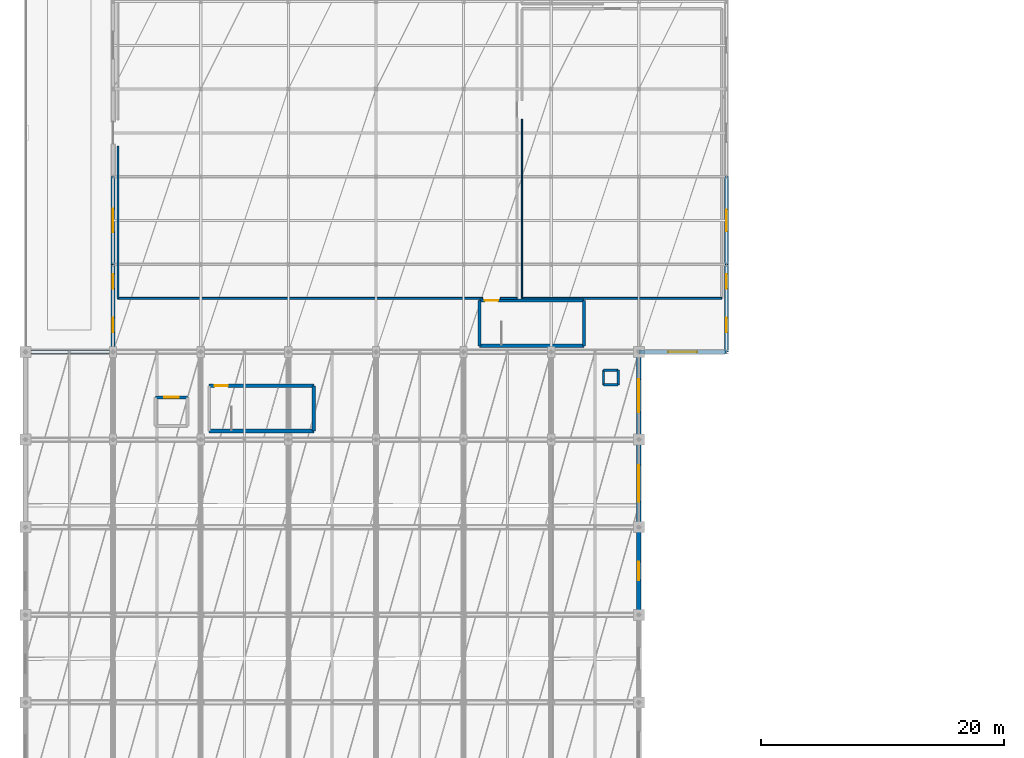
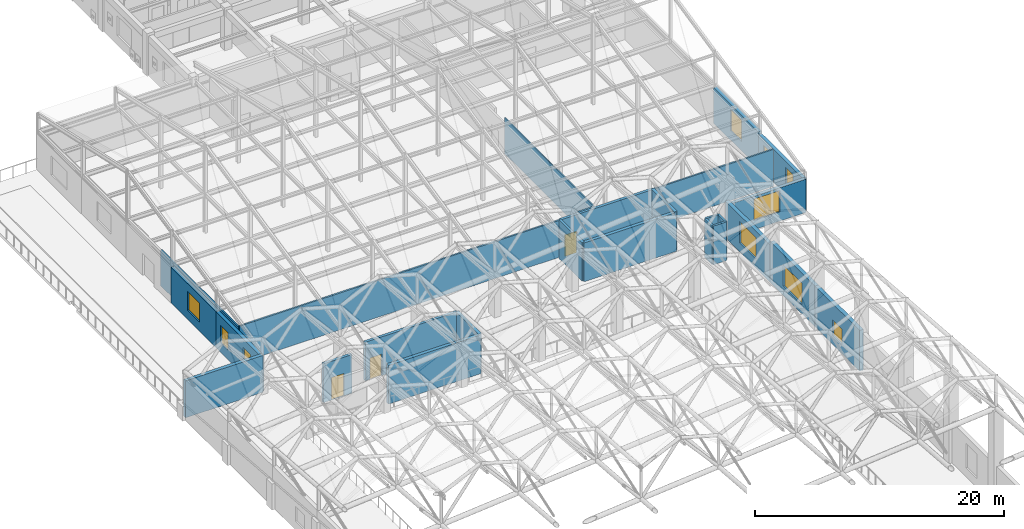
# One storey, part 87 of 113: 26 walls, 10 windows, 3 doors, 13 openings.
"""IFC4 building model written with IfcOpenShell, lengths in metres."""

from ifc_helpers import new_model, si_unit, direction, frame, frame_2d, origin, place, context, subcontext, project, spatial, rectangle, extrude, material, layer, layer_set, type_object, element, fill, save


model = new_model("IFC4")

# Units and contexts
model_context = context("Model", 3, precision=1e-05, world=origin(), true_north=direction((0.0, 1.0)))
body_context = subcontext(model_context, "Body", "Model", "MODEL_VIEW")
ifc_project = project(units=[si_unit("LENGTHUNIT", "METRE"), si_unit("AREAUNIT", "SQUARE_METRE"), si_unit("VOLUMEUNIT", "CUBIC_METRE"), si_unit("PLANEANGLEUNIT", "RADIAN"), si_unit("MASSUNIT", "GRAM", prefix="KILO")], contexts=[model_context])

# Site, building, storey
site_placement = place(None, origin())
site = spatial("IfcSite", under=ifc_project, at=site_placement, CompositionType="ELEMENT")
building_placement = place(site_placement, origin())
building = spatial("IfcBuilding", under=site, at=building_placement, Name="Carrowvane Square Congress Hotel", CompositionType="ELEMENT")
storey_placement = place(building_placement, frame((0.0, 0.0, 15.0)))
storey = spatial("IfcBuildingStorey", under=building, at=storey_placement, Name="L03", CompositionType="ELEMENT", Elevation=15.0)

# Wall, opening, window
ifc_material_1 = material(Name="Portland limestone cladding", Category="masonry")
ifc_layer_1 = layer(ifc_material_1, 0.35009765625)
ifc_layer_set_1 = layer_set([ifc_layer_1], Name="Portland limestone cladding")
wall_type_1 = type_object("IfcWallType", Name="WL-EXT-LS350", PredefinedType="STANDARD", material=ifc_layer_set_1)
wall_1_placement = place(storey_placement, frame((62.0, 55.800048828125, 0.0), z_axis=(0.0, 0.0, 1.0), x_axis=(0.0, -1.0, 0.0)))
wall_1 = element("IfcWall", 1, at=wall_1_placement, inside=storey, type_object=wall_type_1, Name="L03 exterior facade wall 405", PredefinedType="STANDARD", context=body_context, shape_type="SweptSolid", body=[
    extrude(rectangle(XDim=7.199951171875, YDim=0.35009765625, at=frame_2d((3.60009765625, 0.0))), origin(), (0.0, 0.0, 1.0), 3.620361328125),
])
opening_1_placement = place(wall_1_placement, frame((2.25, 0.0, 0.89990234375)))
opening_1 = element("IfcOpeningElement", 2, at=opening_1_placement, cuts=wall_1, Name="Opening W-13", PredefinedType="OPENING", context=body_context, shape_type="SweptSolid", body=[
    extrude(rectangle(XDim=2.699951171875, YDim=2.10009765625, at=frame_2d((1.35009765625, 1.050048828125))), frame((0.0, 0.18505859375, 0.0), z_axis=(0.0, -1.0, 0.0), x_axis=(1.0, 0.0, 0.0)), (0.0, 0.0, 1.0), 0.3701171875),
])
ifc_material_2 = material(Name="Double-glazed low-E glass", Category="glass")
window_type_1 = type_object("IfcWindowType", Name="WIN-13", PartitioningType="SINGLE_PANEL", PredefinedType="WINDOW", material=ifc_material_2)
window_1_placement = place(opening_1_placement, origin())
window_1 = element("IfcWindow", 3, at=window_1_placement, inside=storey, type_object=window_type_1, Name="L03 facade window 237", OverallHeight=2.10009765625, OverallWidth=2.699951171875, PartitioningType="SINGLE_PANEL", PredefinedType="WINDOW", context=body_context, shape_type="SweptSolid", body=[
    extrude(rectangle(XDim=2.699951171875, YDim=2.10009765625, at=frame_2d((1.35009765625, 1.050048828125))), frame((0.0, 0.030029296875, 0.0), z_axis=(0.0, -1.0, 0.0), x_axis=(1.0, 0.0, 0.0)), (0.0, 0.0, 1.0), 0.06005859375),
])
fill(opening_1, window_1)

wall_2_placement = place(storey_placement, frame((62.0, 48.60009765625, 0.0), z_axis=(0.0, 0.0, 1.0), x_axis=(0.0, -1.0, 0.0)))
wall_2 = element("IfcWall", 4, at=wall_2_placement, inside=storey, type_object=wall_type_1, Name="L03 exterior facade wall 406", PredefinedType="STANDARD", context=body_context, shape_type="SweptSolid", body=[
    extrude(rectangle(XDim=7.2001953125, YDim=0.35009765625, at=frame_2d((3.60009765625, 0.0))), origin(), (0.0, 0.0, 1.0), 4.0),
])
opening_2_placement = place(wall_2_placement, frame((2.10009765625, 0.0, 0.89990234375)))
opening_2 = element("IfcOpeningElement", 5, at=opening_2_placement, cuts=wall_2, Name="Opening W-14", PredefinedType="OPENING", context=body_context, shape_type="SweptSolid", body=[
    extrude(rectangle(XDim=3.0, YDim=2.10009765625, at=frame_2d((1.5, 1.050048828125))), frame((0.0, 0.18505859375, 0.0), z_axis=(0.0, -1.0, 0.0), x_axis=(1.0, 0.0, 0.0)), (0.0, 0.0, 1.0), 0.3701171875),
])
ifc_material_3 = material(Name="Double-glazed low-E glass", Category="glass")
window_type_2 = type_object("IfcWindowType", Name="WIN-14", PartitioningType="SINGLE_PANEL", PredefinedType="WINDOW", material=ifc_material_3)
window_2_placement = place(opening_2_placement, origin())
window_2 = element("IfcWindow", 6, at=window_2_placement, inside=storey, type_object=window_type_2, Name="L03 facade window 238", OverallHeight=2.10009765625, OverallWidth=3.0, PartitioningType="SINGLE_PANEL", PredefinedType="WINDOW", context=body_context, shape_type="SweptSolid", body=[
    extrude(rectangle(XDim=3.0, YDim=2.10009765625, at=frame_2d((1.5, 1.050048828125))), frame((0.0, 0.030029296875, 0.0), z_axis=(0.0, -1.0, 0.0), x_axis=(1.0, 0.0, 0.0)), (0.0, 0.0, 1.0), 0.06005859375),
])
fill(opening_2, window_2)

wall_3_placement = place(storey_placement, frame((62.0, 41.39990234375, 0.0), z_axis=(0.0, 0.0, 1.0), x_axis=(0.0, -1.0, 0.0)))
wall_3 = element("IfcWall", 7, at=wall_3_placement, inside=storey, type_object=wall_type_1, Name="L03 exterior facade wall 407", PredefinedType="STANDARD", context=body_context, shape_type="SweptSolid", body=[
    extrude(rectangle(XDim=7.199951171875, YDim=0.35009765625, at=frame_2d((3.60009765625, 0.0))), origin(), (0.0, 0.0, 1.0), 4.0),
])
opening_3_placement = place(wall_3_placement, frame((2.85009765625, 0.0, 0.89990234375)))
opening_3 = element("IfcOpeningElement", 8, at=opening_3_placement, cuts=wall_3, Name="Opening W-15", PredefinedType="OPENING", context=body_context, shape_type="SweptSolid", body=[
    extrude(rectangle(XDim=1.5, YDim=1.5, at=frame_2d((0.75, 0.75))), frame((0.0, 0.18505859375, 0.0), z_axis=(0.0, -1.0, 0.0), x_axis=(1.0, 0.0, 0.0)), (0.0, 0.0, 1.0), 0.3701171875),
])
ifc_material_4 = material(Name="Double-glazed low-E glass", Category="glass")
window_type_3 = type_object("IfcWindowType", Name="WIN-15", PartitioningType="SINGLE_PANEL", PredefinedType="WINDOW", material=ifc_material_4)
window_3_placement = place(opening_3_placement, origin())
window_3 = element("IfcWindow", 9, at=window_3_placement, inside=storey, type_object=window_type_3, Name="L03 facade window 239", OverallHeight=1.5, OverallWidth=1.5, PartitioningType="SINGLE_PANEL", PredefinedType="WINDOW", context=body_context, shape_type="SweptSolid", body=[
    extrude(rectangle(XDim=1.5, YDim=1.5, at=frame_2d((0.75, 0.75))), frame((0.0, 0.030029296875, 0.0), z_axis=(0.0, -1.0, 0.0), x_axis=(1.0, 0.0, 0.0)), (0.0, 0.0, 1.0), 0.06005859375),
])
fill(opening_3, window_3)

# Wall
ifc_material_5 = material(Name="Standing-seam zinc cladding", Category="metal")
ifc_layer_2 = layer(ifc_material_5, 0.31005859375)
ifc_layer_set_2 = layer_set([ifc_layer_2], Name="Standing-seam zinc cladding")
wall_type_2 = type_object("IfcWallType", Name="WL-EXT-ZN310", PredefinedType="STANDARD", material=ifc_layer_set_2)
wall_4_placement = place(storey_placement, frame((11.60009765625, 55.800048828125, 0.0), z_axis=(0.0, 0.0, 1.0), x_axis=(1.0, 0.0, 0.0)))
element("IfcWall", 10, at=wall_4_placement, inside=storey, type_object=wall_type_2, Name="L03 exterior facade wall 343", PredefinedType="STANDARD", context=body_context, shape_type="SweptSolid", body=[
    extrude(rectangle(XDim=7.199951171875, YDim=0.31005859375, at=frame_2d((3.60009765625, 0.0))), origin(), (0.0, 0.0, 1.0), 3.620361328125),
])

# Wall, openings, windows
wall_5_placement = place(storey_placement, frame((18.800048828125, 55.800048828125, 0.0), z_axis=(0.0, 0.0, 1.0), x_axis=(0.0, 1.0, 0.0)))
wall_5 = element("IfcWall", 11, at=wall_5_placement, inside=storey, type_object=wall_type_2, Name="L03 exterior facade wall 344", PredefinedType="STANDARD", context=body_context, shape_type="SweptSolid", body=[
    extrude(rectangle(XDim=7.199951171875, YDim=0.31005859375, at=frame_2d((3.60009765625, 0.0))), origin(), (0.0, 0.0, 1.0), 3.515625),
])
opening_4_placement = place(wall_5_placement, frame((1.60009765625, 0.0, 0.89990234375)))
opening_4 = element("IfcOpeningElement", 12, at=opening_4_placement, cuts=wall_5, Name="Opening W-01", PredefinedType="OPENING", context=body_context, shape_type="SweptSolid", body=[
    extrude(rectangle(XDim=1.199951171875, YDim=1.75, at=frame_2d((0.60009765625, 0.875))), frame((0.0, 0.1650390625, 0.0), z_axis=(0.0, -1.0, 0.0), x_axis=(1.0, 0.0, 0.0)), (0.0, 0.0, 1.0), 0.330078125),
])
opening_5_placement = place(wall_5_placement, frame((5.199951171875, 0.0, 0.89990234375)))
opening_5 = element("IfcOpeningElement", 13, at=opening_5_placement, cuts=wall_5, Name="Opening W-01", PredefinedType="OPENING", context=body_context, shape_type="SweptSolid", body=[
    extrude(rectangle(XDim=1.199951171875, YDim=1.75, at=frame_2d((0.60009765625, 0.875))), frame((0.0, 0.1650390625, 0.0), z_axis=(0.0, -1.0, 0.0), x_axis=(1.0, 0.0, 0.0)), (0.0, 0.0, 1.0), 0.330078125),
])
ifc_material_6 = material(Name="Double-glazed low-E glass", Category="glass")
window_type_4 = type_object("IfcWindowType", Name="WIN-01", PartitioningType="SINGLE_PANEL", PredefinedType="WINDOW", material=ifc_material_6)
window_4_placement = place(opening_4_placement, origin())
window_4 = element("IfcWindow", 14, at=window_4_placement, inside=storey, type_object=window_type_4, Name="L03 facade window 165", OverallHeight=1.75, OverallWidth=1.199951171875, PartitioningType="SINGLE_PANEL", PredefinedType="WINDOW", context=body_context, shape_type="SweptSolid", body=[
    extrude(rectangle(XDim=1.199951171875, YDim=1.75, at=frame_2d((0.60009765625, 0.875))), frame((0.0, 0.030029296875, 0.0), z_axis=(0.0, -1.0, 0.0), x_axis=(1.0, 0.0, 0.0)), (0.0, 0.0, 1.0), 0.06005859375),
])
fill(opening_4, window_4)
window_5_placement = place(opening_5_placement, origin())
window_5 = element("IfcWindow", 15, at=window_5_placement, inside=storey, type_object=window_type_4, Name="L03 split-bay facade window WIN-L03-0165-1", OverallHeight=1.75, OverallWidth=1.199951171875, PartitioningType="SINGLE_PANEL", PredefinedType="WINDOW", context=body_context, shape_type="SweptSolid", body=[
    extrude(rectangle(XDim=1.199951171875, YDim=1.75, at=frame_2d((0.60009765625, 0.875))), frame((0.0, 0.030029296875, 0.0), z_axis=(0.0, -1.0, 0.0), x_axis=(1.0, 0.0, 0.0)), (0.0, 0.0, 1.0), 0.06005859375),
])
fill(opening_5, window_5)

# Wall, opening, window
wall_6_placement = place(storey_placement, frame((18.800048828125, 63.0, 0.0), z_axis=(0.0, 0.0, 1.0), x_axis=(0.0, 1.0, 0.0)))
wall_6 = element("IfcWall", 16, at=wall_6_placement, inside=storey, type_object=wall_type_2, Name="L03 exterior facade wall 345", PredefinedType="STANDARD", context=body_context, shape_type="SweptSolid", body=[
    extrude(rectangle(XDim=7.199951171875, YDim=0.31005859375, at=frame_2d((3.60009765625, 0.0))), origin(), (0.0, 0.0, 1.0), 3.515625),
])
opening_6_placement = place(wall_6_placement, frame((2.64990234375, 0.0, 0.89990234375)))
opening_6 = element("IfcOpeningElement", 17, at=opening_6_placement, cuts=wall_6, Name="Opening W-25", PredefinedType="OPENING", context=body_context, shape_type="SweptSolid", body=[
    extrude(rectangle(XDim=1.89990234375, YDim=1.85009765625, at=frame_2d((0.949951171875, 0.925048828125))), frame((0.0, 0.1650390625, 0.0), z_axis=(0.0, -1.0, 0.0), x_axis=(1.0, 0.0, 0.0)), (0.0, 0.0, 1.0), 0.330078125),
])
ifc_material_7 = material(Name="Double-glazed low-E glass", Category="glass")
window_type_5 = type_object("IfcWindowType", Name="WIN-25", PartitioningType="SINGLE_PANEL", PredefinedType="WINDOW", material=ifc_material_7)
window_6_placement = place(opening_6_placement, origin())
window_6 = element("IfcWindow", 18, at=window_6_placement, inside=storey, type_object=window_type_5, Name="L03 facade window 166", OverallHeight=1.85009765625, OverallWidth=1.89990234375, PartitioningType="SINGLE_PANEL", PredefinedType="WINDOW", context=body_context, shape_type="SweptSolid", body=[
    extrude(rectangle(XDim=1.89990234375, YDim=1.85009765625, at=frame_2d((0.949951171875, 0.925048828125))), frame((0.0, 0.030029296875, 0.0), z_axis=(0.0, -1.0, 0.0), x_axis=(1.0, 0.0, 0.0)), (0.0, 0.0, 1.0), 0.06005859375),
])
fill(opening_6, window_6)

wall_7_placement = place(storey_placement, frame((69.199951171875, 70.199951171875, 0.0), z_axis=(0.0, 0.0, 1.0), x_axis=(0.0, -1.0, 0.0)))
wall_7 = element("IfcWall", 19, at=wall_7_placement, inside=storey, type_object=wall_type_2, Name="L03 exterior facade wall 402", PredefinedType="STANDARD", context=body_context, shape_type="SweptSolid", body=[
    extrude(rectangle(XDim=7.199951171875, YDim=0.31005859375, at=frame_2d((3.60009765625, 0.0))), origin(), (0.0, 0.0, 1.0), 3.515625),
])
opening_7_placement = place(wall_7_placement, frame((2.699951171875, 0.0, 0.89990234375)))
opening_7 = element("IfcOpeningElement", 20, at=opening_7_placement, cuts=wall_7, Name="Opening W-10", PredefinedType="OPENING", context=body_context, shape_type="SweptSolid", body=[
    extrude(rectangle(XDim=1.800048828125, YDim=2.10009765625, at=frame_2d((0.89990234375, 1.050048828125))), frame((0.0, 0.1650390625, 0.0), z_axis=(0.0, -1.0, 0.0), x_axis=(1.0, 0.0, 0.0)), (0.0, 0.0, 1.0), 0.330078125),
])
ifc_material_8 = material(Name="Double-glazed low-E glass", Category="glass")
window_type_6 = type_object("IfcWindowType", Name="WIN-10", PartitioningType="SINGLE_PANEL", PredefinedType="WINDOW", material=ifc_material_8)
window_7_placement = place(opening_7_placement, origin())
window_7 = element("IfcWindow", 21, at=window_7_placement, inside=storey, type_object=window_type_6, Name="L03 facade window 234", OverallHeight=2.10009765625, OverallWidth=1.800048828125, PartitioningType="SINGLE_PANEL", PredefinedType="WINDOW", context=body_context, shape_type="SweptSolid", body=[
    extrude(rectangle(XDim=1.800048828125, YDim=2.10009765625, at=frame_2d((0.89990234375, 1.050048828125))), frame((0.0, 0.030029296875, 0.0), z_axis=(0.0, -1.0, 0.0), x_axis=(1.0, 0.0, 0.0)), (0.0, 0.0, 1.0), 0.06005859375),
])
fill(opening_7, window_7)

# Wall, openings, windows
wall_8_placement = place(storey_placement, frame((69.199951171875, 63.0, 0.0), z_axis=(0.0, 0.0, 1.0), x_axis=(0.0, -1.0, 0.0)))
wall_8 = element("IfcWall", 22, at=wall_8_placement, inside=storey, type_object=wall_type_2, Name="L03 exterior facade wall 403", PredefinedType="STANDARD", context=body_context, shape_type="SweptSolid", body=[
    extrude(rectangle(XDim=7.199951171875, YDim=0.31005859375, at=frame_2d((3.60009765625, 0.0))), origin(), (0.0, 0.0, 1.0), 3.27490234375),
])
opening_8_placement = place(wall_8_placement, frame((0.800048828125, 0.0, 0.89990234375)))
opening_8 = element("IfcOpeningElement", 23, at=opening_8_placement, cuts=wall_8, Name="Opening W-01", PredefinedType="OPENING", context=body_context, shape_type="SweptSolid", body=[
    extrude(rectangle(XDim=1.199951171875, YDim=1.800048828125, at=frame_2d((0.60009765625, 0.89990234375))), frame((0.0, 0.1650390625, 0.0), z_axis=(0.0, -1.0, 0.0), x_axis=(1.0, 0.0, 0.0)), (0.0, 0.0, 1.0), 0.330078125),
])
opening_9_placement = place(wall_8_placement, frame((4.39990234375, 0.0, 0.89990234375)))
opening_9 = element("IfcOpeningElement", 24, at=opening_9_placement, cuts=wall_8, Name="Opening W-01", PredefinedType="OPENING", context=body_context, shape_type="SweptSolid", body=[
    extrude(rectangle(XDim=1.199951171875, YDim=1.800048828125, at=frame_2d((0.60009765625, 0.89990234375))), frame((0.0, 0.1650390625, 0.0), z_axis=(0.0, -1.0, 0.0), x_axis=(1.0, 0.0, 0.0)), (0.0, 0.0, 1.0), 0.330078125),
])
window_8_placement = place(opening_8_placement, origin())
window_8 = element("IfcWindow", 25, at=window_8_placement, inside=storey, type_object=window_type_4, Name="L03 facade window 235", OverallHeight=1.800048828125, OverallWidth=1.199951171875, PartitioningType="SINGLE_PANEL", PredefinedType="WINDOW", context=body_context, shape_type="SweptSolid", body=[
    extrude(rectangle(XDim=1.199951171875, YDim=1.800048828125, at=frame_2d((0.60009765625, 0.89990234375))), frame((0.0, 0.030029296875, 0.0), z_axis=(0.0, -1.0, 0.0), x_axis=(1.0, 0.0, 0.0)), (0.0, 0.0, 1.0), 0.06005859375),
])
fill(opening_8, window_8)
window_9_placement = place(opening_9_placement, origin())
window_9 = element("IfcWindow", 26, at=window_9_placement, inside=storey, type_object=window_type_4, Name="L03 split-bay facade window WIN-L03-0235-1", OverallHeight=1.800048828125, OverallWidth=1.199951171875, PartitioningType="SINGLE_PANEL", PredefinedType="WINDOW", context=body_context, shape_type="SweptSolid", body=[
    extrude(rectangle(XDim=1.199951171875, YDim=1.800048828125, at=frame_2d((0.60009765625, 0.89990234375))), frame((0.0, 0.030029296875, 0.0), z_axis=(0.0, -1.0, 0.0), x_axis=(1.0, 0.0, 0.0)), (0.0, 0.0, 1.0), 0.06005859375),
])
fill(opening_9, window_9)

# Wall, opening, window
wall_9_placement = place(storey_placement, frame((69.199951171875, 55.800048828125, 0.0), z_axis=(0.0, 0.0, 1.0), x_axis=(-1.0, 0.0, 0.0)))
wall_9 = element("IfcWall", 27, at=wall_9_placement, inside=storey, type_object=wall_type_2, Name="L03 exterior facade wall 404", PredefinedType="STANDARD", context=body_context, shape_type="SweptSolid", body=[
    extrude(rectangle(XDim=7.199951171875, YDim=0.31005859375, at=frame_2d((3.60009765625, 0.0))), origin(), (0.0, 0.0, 1.0), 3.27490234375),
])
opening_10_placement = place(wall_9_placement, frame((2.39990234375, 0.0, 0.89990234375)))
opening_10 = element("IfcOpeningElement", 28, at=opening_10_placement, cuts=wall_9, Name="Opening W-12", PredefinedType="OPENING", context=body_context, shape_type="SweptSolid", body=[
    extrude(rectangle(XDim=2.39990234375, YDim=2.10009765625, at=frame_2d((1.199951171875, 1.050048828125))), frame((0.0, 0.1650390625, 0.0), z_axis=(0.0, -1.0, 0.0), x_axis=(1.0, 0.0, 0.0)), (0.0, 0.0, 1.0), 0.330078125),
])
ifc_material_9 = material(Name="Double-glazed low-E glass", Category="glass")
window_type_7 = type_object("IfcWindowType", Name="WIN-12", PartitioningType="SINGLE_PANEL", PredefinedType="WINDOW", material=ifc_material_9)
window_10_placement = place(opening_10_placement, origin())
window_10 = element("IfcWindow", 29, at=window_10_placement, inside=storey, type_object=window_type_7, Name="L03 facade window 236", OverallHeight=2.10009765625, OverallWidth=2.39990234375, PartitioningType="SINGLE_PANEL", PredefinedType="WINDOW", context=body_context, shape_type="SweptSolid", body=[
    extrude(rectangle(XDim=2.39990234375, YDim=2.10009765625, at=frame_2d((1.199951171875, 1.050048828125))), frame((0.0, 0.030029296875, 0.0), z_axis=(0.0, -1.0, 0.0), x_axis=(1.0, 0.0, 0.0)), (0.0, 0.0, 1.0), 0.06005859375),
])
fill(opening_10, window_10)

# Walls
ifc_material_10 = material(Name="Acoustic gypsum board", Category="gypsum")
ifc_layer_3 = layer(ifc_material_10, 0.155029296875)
ifc_layer_set_3 = layer_set([ifc_layer_3], Name="Acoustic gypsum board")
wall_type_3 = type_object("IfcWallType", Name="WL-FIR-155", PredefinedType="PARTITIONING", material=ifc_layer_set_3)
wall_10_placement = place(storey_placement, frame((52.0, 60.199951171875, 0.0), z_axis=(0.0, 0.0, 1.0), x_axis=(-1.0, 0.0, 0.0)))
element("IfcWall", 30, at=wall_10_placement, inside=storey, type_object=wall_type_3, Name="L03 Botanical Thermal Conservatory Lounge partition", PredefinedType="PARTITIONING", context=body_context, shape_type="SweptSolid", body=[
    extrude(rectangle(XDim=1.3798828125, YDim=0.155029296875, at=frame_2d((0.68994140625, 0.0))), origin(), (0.0, 0.0, 1.0), 3.800048828125),
])
ifc_material_11 = material(Name="Standing-seam zinc cladding", Category="metal")
ifc_layer_4 = layer(ifc_material_11, 0.195068359375)
ifc_layer_set_4 = layer_set([ifc_layer_4], Name="Standing-seam zinc cladding")
wall_type_4 = type_object("IfcWallType", Name="WL-PAR-195", PredefinedType="PARAPET", material=ifc_layer_set_4)
for number, where, z_axis, x_axis, name in (
    (31, (59.10009765625, 53.10009765625, 0.0), (0.0, 0.0, 1.0), (1.0, 0.0, 0.0), "L03 service riser RSR-V1 enclosure S"),
    (32, (60.300048828125, 53.10009765625, 0.0), (0.0, 0.0, 1.0), (0.0, 1.0, 0.0), "L03 service riser RSR-V1 enclosure E"),
    (33, (60.300048828125, 54.300048828125, 0.0), (0.0, 0.0, 1.0), (-1.0, 0.0, 0.0), "L03 service riser RSR-V1 enclosure N"),
    (34, (59.10009765625, 54.300048828125, 0.0), (0.0, 0.0, 1.0), (0.0, -1.0, 0.0), "L03 service riser RSR-V1 enclosure W"),
):
    element("IfcWall", number, at=place(storey_placement, frame(where, z_axis=z_axis, x_axis=x_axis)), inside=storey, type_object=wall_type_4, Name=name, PredefinedType="PARAPET", context=body_context, shape_type="SweptSolid", body=[
        extrude(rectangle(XDim=1.199951171875, YDim=0.195068359375, at=frame_2d((0.60009765625, 0.0))), origin(), (0.0, 0.0, 1.0), 3.800048828125),
    ])
ifc_material_12 = material(Name="Acoustic gypsum board", Category="gypsum")
ifc_layer_5 = layer(ifc_material_12, 0.097900390625)
ifc_layer_set_5 = layer_set([ifc_layer_5], Name="Acoustic gypsum board")
wall_type_5 = type_object("IfcWallType", Name="WL-PRT-098", PredefinedType="PARTITIONING", material=ifc_layer_set_5)
wall_11_placement = place(storey_placement, frame((52.39990234375, 60.199951171875, 0.0), z_axis=(0.0, 0.0, 1.0), x_axis=(0.0, 1.0, 0.0)))
element("IfcWall", 35, at=wall_11_placement, inside=storey, type_object=wall_type_5, Name="L03 Herbal Infusion Tea Salon partition", PredefinedType="PARTITIONING", context=body_context, shape_type="SweptSolid", body=[
    extrude(rectangle(XDim=14.72998046875, YDim=0.097900390625, at=frame_2d((7.364990234375, 0.0))), origin(), (0.0, 0.0, 1.0), 3.515625),
])
ifc_material_13 = material(Name="Acoustic gypsum board", Category="gypsum")
ifc_layer_6 = layer(ifc_material_13, 0.137939453125)
ifc_layer_set_6 = layer_set([ifc_layer_6], Name="Acoustic gypsum board")
wall_type_6 = type_object("IfcWallType", Name="WL-PRT-138", PredefinedType="PARTITIONING", material=ifc_layer_set_6)
wall_12_placement = place(storey_placement, frame((19.199951171875, 60.199951171875, 0.0), z_axis=(0.0, 0.0, 1.0), x_axis=(0.0, 1.0, 0.0)))
element("IfcWall", 36, at=wall_12_placement, inside=storey, type_object=wall_type_6, Name="L03 Botanical Thermal Conservatory Lounge partition", PredefinedType="PARTITIONING", context=body_context, shape_type="SweptSolid", body=[
    extrude(rectangle(XDim=12.52001953125, YDim=0.137939453125, at=frame_2d((6.260009765625, 0.0))), origin(), (0.0, 0.0, 1.0), 3.515625),
])
ifc_material_14 = material(Name="Acoustic gypsum board", Category="gypsum")
ifc_layer_7 = layer(ifc_material_14, 0.14794921875)
ifc_layer_set_7 = layer_set([ifc_layer_7], Name="Acoustic gypsum board")
wall_type_7 = type_object("IfcWallType", Name="WL-PRT-148", PredefinedType="PARTITIONING", material=ifc_layer_set_7)
wall_13_placement = place(storey_placement, frame((49.159912109375, 60.199951171875, 0.0), z_axis=(0.0, 0.0, 1.0), x_axis=(-1.0, 0.0, 0.0)))
element("IfcWall", 37, at=wall_13_placement, inside=storey, type_object=wall_type_7, Name="L03 Botanical Thermal Conservatory Lounge partition", PredefinedType="PARTITIONING", context=body_context, shape_type="SweptSolid", body=[
    extrude(rectangle(XDim=29.9599609375, YDim=0.14794921875, at=frame_2d((14.97998046875, 0.0))), origin(), (0.0, 0.0, 1.0), 3.620361328125),
])
wall_14_placement = place(storey_placement, frame((68.800048828125, 60.199951171875, 0.0), z_axis=(0.0, 0.0, 1.0), x_axis=(-1.0, 0.0, 0.0)))
element("IfcWall", 38, at=wall_14_placement, inside=storey, type_object=wall_type_7, Name="L03 Herbal Infusion Tea Salon partition", PredefinedType="PARTITIONING", context=body_context, shape_type="SweptSolid", body=[
    extrude(rectangle(XDim=16.400146484375, YDim=0.14794921875, at=frame_2d((8.2001953125, 0.0))), origin(), (0.0, 0.0, 1.0), 3.620361328125),
])
ifc_material_15 = material(Name="Concrete C40/50", Category="concrete")
ifc_layer_8 = layer(ifc_material_15, 0.22509765625)
ifc_layer_set_8 = layer_set([ifc_layer_8], Name="Concrete C40/50")
wall_type_8 = type_object("IfcWallType", Name="WL-SHR-225", PredefinedType="SHEAR", material=ifc_layer_set_8)
wall_15_placement = place(storey_placement, frame((48.89990234375, 60.02001953125, 0.0), z_axis=(0.0, 0.0, 1.0), x_axis=(0.0, -1.0, 0.0)))
element("IfcWall", 39, at=wall_15_placement, inside=storey, type_object=wall_type_8, Name="L03 ST7 core wall west", PredefinedType="SHEAR", context=body_context, shape_type="SweptSolid", body=[
    extrude(rectangle(XDim=3.719970703125, YDim=0.22509765625, at=frame_2d((1.85986328125, 0.0))), origin(), (0.0, 0.0, 1.0), 3.800048828125),
])

# Wall, opening, door
ifc_material_16 = material(Name="Concrete C40/50", Category="concrete")
ifc_layer_9 = layer(ifc_material_16, 0.25)
ifc_layer_set_9 = layer_set([ifc_layer_9], Name="Concrete C40/50")
wall_type_9 = type_object("IfcWallType", Name="WL-SHR-250", PredefinedType="SHEAR", material=ifc_layer_set_9)
wall_16_placement = place(storey_placement, frame((35.300048828125, 53.02001953125, 0.0), z_axis=(0.0, 0.0, 1.0), x_axis=(-1.0, 0.0, 0.0)))
wall_16 = element("IfcWall", 40, at=wall_16_placement, inside=storey, type_object=wall_type_9, Name="L03 ST6 core wall north", PredefinedType="SHEAR", context=body_context, shape_type="SweptSolid", body=[
    extrude(rectangle(XDim=8.60009765625, YDim=0.25, at=frame_2d((4.300048828125, 0.0))), origin(), (0.0, 0.0, 1.0), 3.800048828125),
])
opening_11_placement = place(wall_16_placement, frame((7.06005859375, 0.0, 0.0)))
opening_11 = element("IfcOpeningElement", 41, at=opening_11_placement, cuts=wall_16, Name="Opening FD-01", PredefinedType="OPENING", context=body_context, shape_type="SweptSolid", body=[
    extrude(rectangle(XDim=1.10009765625, YDim=2.10009765625, at=frame_2d((0.550048828125, 1.050048828125))), frame((0.0, 0.135009765625, 0.0), z_axis=(0.0, -1.0, 0.0), x_axis=(1.0, 0.0, 0.0)), (0.0, 0.0, 1.0), 0.27001953125),
])
ifc_material_17 = material(Name="European oak timber", Category="wood")
door_type_1 = type_object("IfcDoorType", Name="DR-FD60-1100x2100", OperationType="NOTDEFINED", PredefinedType="DOOR", material=ifc_material_17)
door_1_placement = place(opening_11_placement, origin())
door_1 = element("IfcDoor", 42, at=door_1_placement, inside=storey, type_object=door_type_1, Name="L03 ST6 fire door", OperationType="SINGLE_SWING_RIGHT", OverallHeight=2.10009765625, OverallWidth=1.10009765625, PredefinedType="DOOR", context=body_context, shape_type="SweptSolid", body=[
    extrude(rectangle(XDim=1.10009765625, YDim=2.10009765625, at=frame_2d((0.550048828125, 1.050048828125))), frame((0.0, 0.02490234375, 0.0), z_axis=(0.0, -1.0, 0.0), x_axis=(1.0, 0.0, 0.0)), (0.0, 0.0, 1.0), 0.050048828125),
])
fill(opening_11, door_1)

wall_17_placement = place(storey_placement, frame((57.5, 60.02001953125, 0.0), z_axis=(0.0, 0.0, 1.0), x_axis=(-1.0, 0.0, 0.0)))
wall_17 = element("IfcWall", 43, at=wall_17_placement, inside=storey, type_object=wall_type_9, Name="L03 ST7 core wall north", PredefinedType="SHEAR", context=body_context, shape_type="SweptSolid", body=[
    extrude(rectangle(XDim=8.60009765625, YDim=0.25, at=frame_2d((4.300048828125, 0.0))), origin(), (0.0, 0.0, 1.0), 3.800048828125),
])
opening_12_placement = place(wall_17_placement, frame((7.06005859375, 0.0, 0.0)))
opening_12 = element("IfcOpeningElement", 44, at=opening_12_placement, cuts=wall_17, Name="Opening FD-01", PredefinedType="OPENING", context=body_context, shape_type="SweptSolid", body=[
    extrude(rectangle(XDim=1.10009765625, YDim=2.10009765625, at=frame_2d((0.550048828125, 1.050048828125))), frame((0.0, 0.135009765625, 0.0), z_axis=(0.0, -1.0, 0.0), x_axis=(1.0, 0.0, 0.0)), (0.0, 0.0, 1.0), 0.27001953125),
])
door_2_placement = place(opening_12_placement, origin())
door_2 = element("IfcDoor", 45, at=door_2_placement, inside=storey, type_object=door_type_1, Name="L03 ST7 fire door", OperationType="SINGLE_SWING_RIGHT", OverallHeight=2.10009765625, OverallWidth=1.10009765625, PredefinedType="DOOR", context=body_context, shape_type="SweptSolid", body=[
    extrude(rectangle(XDim=1.10009765625, YDim=2.10009765625, at=frame_2d((0.550048828125, 1.050048828125))), frame((0.0, 0.02490234375, 0.0), z_axis=(0.0, -1.0, 0.0), x_axis=(1.0, 0.0, 0.0)), (0.0, 0.0, 1.0), 0.050048828125),
])
fill(opening_12, door_2)

wall_18_placement = place(storey_placement, frame((24.925048828125, 52.074951171875, 0.0), z_axis=(0.0, 0.0, 1.0), x_axis=(-1.0, 0.0, 0.0)))
wall_18 = element("IfcWall", 46, at=wall_18_placement, inside=storey, type_object=wall_type_9, Name="L03 CL-1 shaft wall north", PredefinedType="SHEAR", context=body_context, shape_type="SweptSolid", body=[
    extrude(rectangle(XDim=2.650146484375, YDim=0.25, at=frame_2d((1.3251953125, 0.0))), origin(), (0.0, 0.0, 1.0), 3.800048828125),
])
opening_13_placement = place(wall_18_placement, frame((0.72509765625, 0.0, 0.0)))
opening_13 = element("IfcOpeningElement", 47, at=opening_13_placement, cuts=wall_18, Name="Opening LD-CL-1", PredefinedType="OPENING", context=body_context, shape_type="SweptSolid", body=[
    extrude(rectangle(XDim=1.199951171875, YDim=2.199951171875, at=frame_2d((0.60009765625, 1.10009765625))), frame((0.0, 0.135009765625, 0.0), z_axis=(0.0, -1.0, 0.0), x_axis=(1.0, 0.0, 0.0)), (0.0, 0.0, 1.0), 0.27001953125),
])
ifc_material_18 = material(Name="Stainless steel 316", Category="steel")
door_type_2 = type_object("IfcDoorType", Name="DR-LD-1200x2200", OperationType="DOUBLE_DOOR_SLIDING", PredefinedType="DOOR", material=ifc_material_18)
door_3_placement = place(opening_13_placement, origin())
door_3 = element("IfcDoor", 48, at=door_3_placement, inside=storey, type_object=door_type_2, Name="L03 CL-1 sliding lift landing door", OperationType="DOUBLE_DOOR_SLIDING", OverallHeight=2.199951171875, OverallWidth=1.199951171875, PredefinedType="DOOR", context=body_context, shape_type="SweptSolid", body=[
    extrude(rectangle(XDim=1.199951171875, YDim=2.199951171875, at=frame_2d((0.60009765625, 1.10009765625))), frame((0.0, 0.02490234375, 0.0), z_axis=(0.0, -1.0, 0.0), x_axis=(1.0, 0.0, 0.0)), (0.0, 0.0, 1.0), 0.050048828125),
])
fill(opening_13, door_3)

# Walls
ifc_material_19 = material(Name="Concrete C40/50", Category="concrete")
ifc_layer_10 = layer(ifc_material_19, 0.27490234375)
ifc_layer_set_10 = layer_set([ifc_layer_10], Name="Concrete C40/50")
wall_type_10 = type_object("IfcWallType", Name="WL-SHR-275", PredefinedType="SHEAR", material=ifc_layer_set_10)
for number, where, z_axis, x_axis, name in (
    (49, (35.300048828125, 49.300048828125, 0.0), (0.0, 0.0, 1.0), (0.0, 1.0, 0.0), "L03 ST6 core wall east"),
    (50, (57.5, 56.300048828125, 0.0), (0.0, 0.0, 1.0), (0.0, 1.0, 0.0), "L03 ST7 core wall east"),
):
    element("IfcWall", number, at=place(storey_placement, frame(where, z_axis=z_axis, x_axis=x_axis)), inside=storey, type_object=wall_type_10, Name=name, PredefinedType="SHEAR", context=body_context, shape_type="SweptSolid", body=[
        extrude(rectangle(XDim=3.719970703125, YDim=0.27490234375, at=frame_2d((1.85986328125, 0.0))), origin(), (0.0, 0.0, 1.0), 3.800048828125),
    ])
ifc_material_20 = material(Name="Concrete C40/50", Category="concrete")
ifc_layer_11 = layer(ifc_material_20, 0.300048828125)
ifc_layer_set_11 = layer_set([ifc_layer_11], Name="Concrete C40/50")
wall_type_11 = type_object("IfcWallType", Name="WL-SHR-300", PredefinedType="SHEAR", material=ifc_layer_set_11)
for number, where, z_axis, x_axis, name in (
    (51, (26.699951171875, 49.300048828125, 0.0), (0.0, 0.0, 1.0), (1.0, 0.0, 0.0), "L03 ST6 core wall south"),
    (52, (48.89990234375, 56.300048828125, 0.0), (0.0, 0.0, 1.0), (1.0, 0.0, 0.0), "L03 ST7 core wall south"),
):
    element("IfcWall", number, at=place(storey_placement, frame(where, z_axis=z_axis, x_axis=x_axis)), inside=storey, type_object=wall_type_11, Name=name, PredefinedType="SHEAR", context=body_context, shape_type="SweptSolid", body=[
        extrude(rectangle(XDim=8.60009765625, YDim=0.300048828125, at=frame_2d((4.300048828125, 0.0))), origin(), (0.0, 0.0, 1.0), 3.800048828125),
    ])

save(model, "model.ifc")
